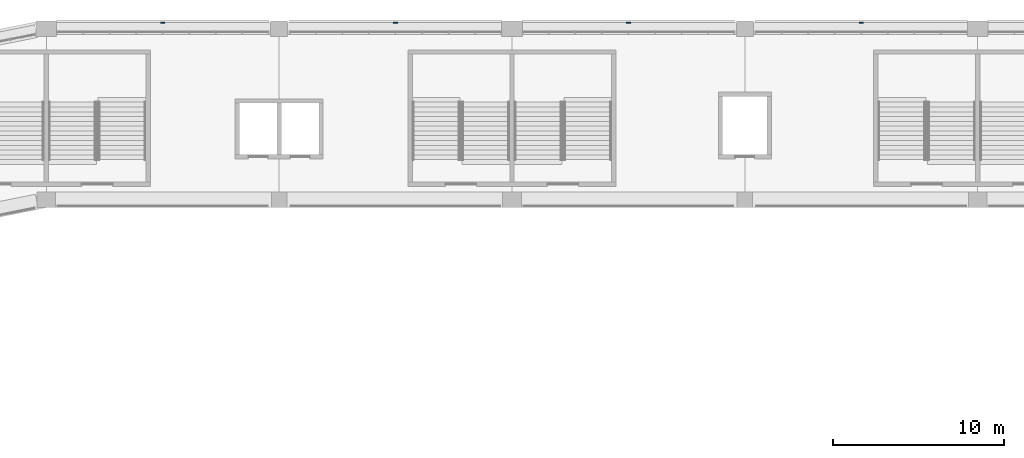
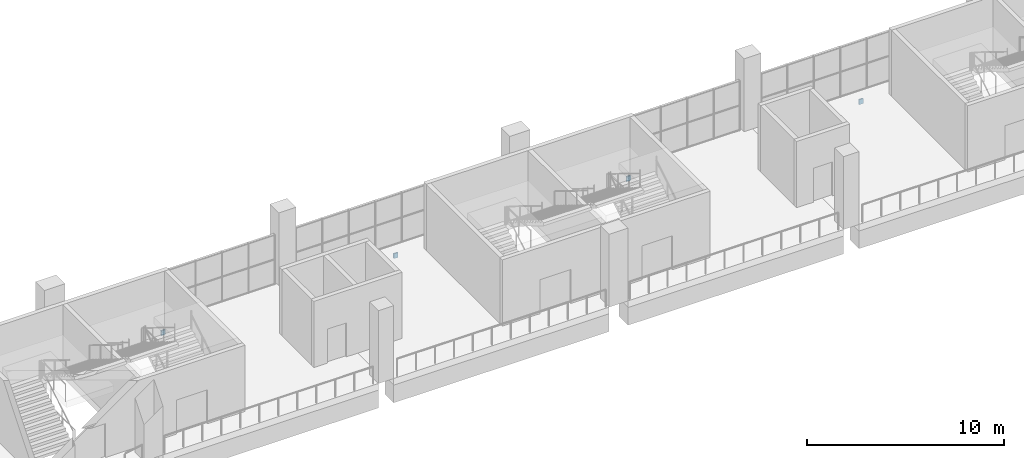
# One storey, part 79 of 177: 4 discrete accessories.
"""IFC4 building model written with IfcOpenShell, lengths in metres."""

from ifc_helpers import new_model, si_unit, direction, frame, origin, origin_2d, place, context, subcontext, project, spatial, rectangle, extrude, material, layer, layer_set, type_object, element, save


model = new_model("IFC4")

# Units and contexts
model_context = context("Model", 3, precision=1e-05, world=origin(), true_north=direction((0.0, 1.0)))
body_context = subcontext(model_context, "Body", "Model", "MODEL_VIEW")
ifc_project = project(units=[si_unit("LENGTHUNIT", "METRE"), si_unit("AREAUNIT", "SQUARE_METRE"), si_unit("VOLUMEUNIT", "CUBIC_METRE"), si_unit("PLANEANGLEUNIT", "RADIAN"), si_unit("MASSUNIT", "GRAM", prefix="KILO")], contexts=[model_context])

# Site, building, storey
site_placement = place(None, origin())
site = spatial("IfcSite", under=ifc_project, at=site_placement, CompositionType="ELEMENT")
building_placement = place(site_placement, origin())
building = spatial("IfcBuilding", under=site, at=building_placement, Name="Ogive Plaza Stadium", CompositionType="ELEMENT")
storey_placement = place(building_placement, frame((0.0, 0.0, 18.0)))
storey = spatial("IfcBuildingStorey", under=building, at=storey_placement, Name="L04", CompositionType="ELEMENT", Elevation=18.0)

# Discrete accessories
ifc_material = material(Name="Steel ASTM A572 Grade 50", Category="steel")
ifc_layer = layer(ifc_material, 0.080078125)
ifc_layer_set = layer_set([ifc_layer], Name="Steel ASTM A572 Grade 50")
discrete_accessory_type = type_object("IfcDiscreteAccessoryType", Name="Spandrel cladding bracket 250x300", PredefinedType="BRACKET", material=ifc_layer_set)
for number, where, z_axis, x_axis, name in (
    (1, (-27.199951171875, 102.85009765625, -1.31005859375), (0.0, 0.0, 1.0), (1.0, 0.0, 0.0), "SPANDREL BRACKET B32 L04"),
    (2, (-13.60009765625, 102.85009765625, -1.31005859375), (0.0, 0.0, 1.0), (1.0, 0.0, 0.0), "SPANDREL BRACKET B33 L04"),
    (3, (0.0, 102.85009765625, -1.31005859375), (0.0, 0.0, 1.0), (1.0, 0.0, 0.0), "SPANDREL BRACKET B34 L04"),
    (4, (13.60009765625, 102.85009765625, -1.31005859375), (0.0, 0.0, 1.0), (1.0, 0.0, 0.0), "SPANDREL BRACKET B35 L04"),
):
    element("IfcDiscreteAccessory", number, at=place(storey_placement, frame(where, z_axis=z_axis, x_axis=x_axis)), inside=storey, type_object=discrete_accessory_type, Name=name, PredefinedType="BRACKET", context=body_context, shape_type="SweptSolid", body=[
        extrude(rectangle(XDim=0.25, YDim=0.080078125, at=origin_2d()), origin(), (0.0, 0.0, 1.0), 0.300048828125),
    ])

save(model, "model.ifc")
